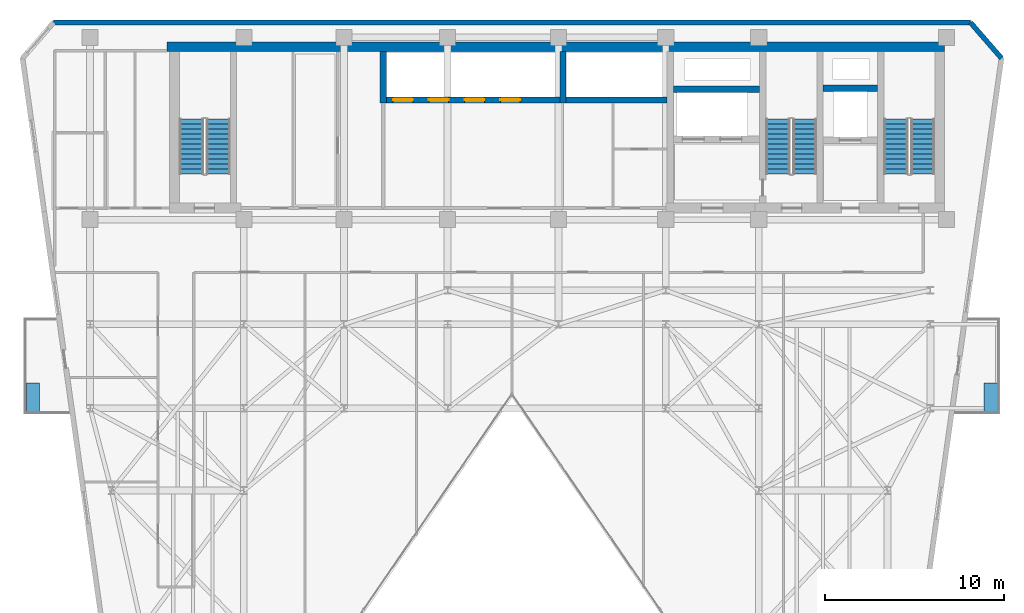
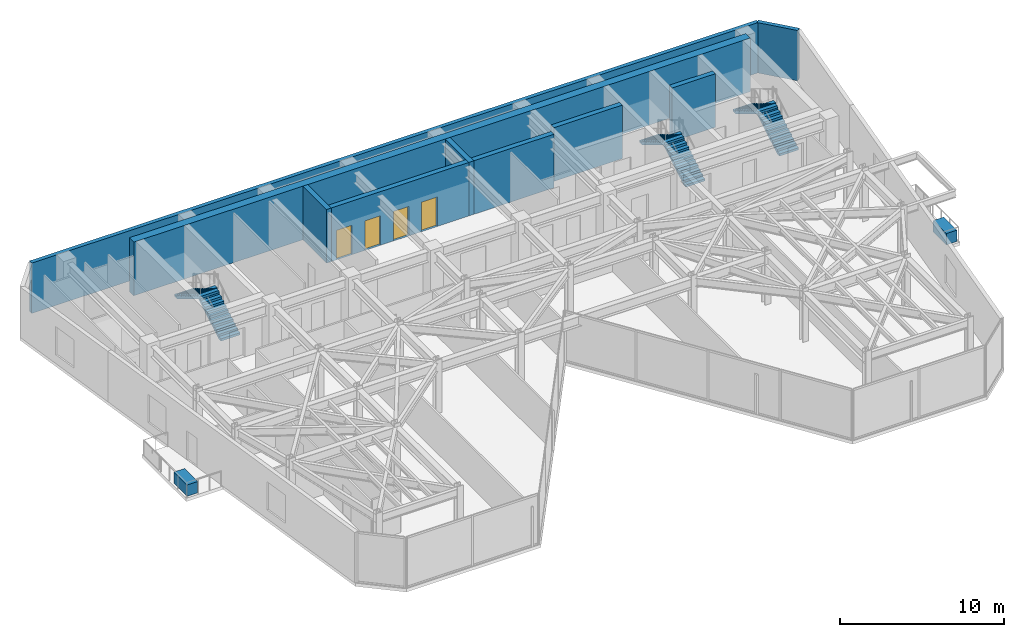
# One storey, part 18 of 21: 9 walls, 6 stair flights, 4 doors, 2 discrete accessories, 4 openings, 3 elements without a shape of their own.
"""IFC4 building model written with IfcOpenShell, lengths in metres."""

import ifcopenshell
import ifcopenshell.guid

model = None  # the IFC model being written
_history = None  # IfcOwnerHistory: only IFC2X3 demands one
_inside = {}  # id of a spatial element -> (the spatial element, [elements in it])
_under = {}  # id of a project, library or spatial element -> (it, [spatial elements below it])
_declared = {}  # id of a project -> (the project, [libraries it declares])
_typed = {}  # id of a type object -> (the type object, [elements of that type])
_made_of = {}  # id of a material, layer set ... -> (it, [elements and type objects made of it])


def new_model(schema):
    """Start an empty IFC model of exactly this schema.

    Asked for "IFC4X3", IfcOpenShell would pick the latest addendum, in which some entities
    have other attributes; the version numbers below select the first issue.
    IFC2X3 requires an IfcOwnerHistory on every rooted entity: one is made here for all.
    """
    global model, _history
    if schema == "IFC4X3":
        model = ifcopenshell.file(schema_version=(4, 3, 0, 0))
    else:
        model = ifcopenshell.file(schema=schema)
    _inside.clear()
    _under.clear()
    _declared.clear()
    _typed.clear()
    _made_of.clear()
    _history = None
    if model.schema == "IFC2X3":
        org = make("IfcOrganization", Name="unknown")
        user = make(
            "IfcPersonAndOrganization",
            ThePerson=make("IfcPerson", FamilyName="unknown"),
            TheOrganization=org,
        )
        app = make(
            "IfcApplication",
            ApplicationDeveloper=org,
            Version="unknown",
            ApplicationFullName="unknown",
            ApplicationIdentifier="unknown",
        )
        _history = make(
            "IfcOwnerHistory",
            OwningUser=user,
            OwningApplication=app,
            ChangeAction="ADDED",
            CreationDate=0,
        )
    return model


def make(cls, **values):
    """One entity of the class cls with the attributes given. An attribute that is None is left unset."""
    return model.create_entity(
        cls, **{name: value for name, value in values.items() if value is not None}
    )


def rooted(cls, **values):
    """An entity with a GlobalId (a new one), such as an element, a storey or a relation."""
    return make(cls, GlobalId=ifcopenshell.guid.new(), OwnerHistory=_history, **values)


def si_unit(unit_type, name, prefix=None):
    """IfcSIUnit, for example si_unit("LENGTHUNIT", "METRE", prefix="MILLI")."""
    return make("IfcSIUnit", UnitType=unit_type, Prefix=prefix, Name=name)


def assignment(units):
    """IfcUnitAssignment: the units of a project."""
    return None if units is None else make("IfcUnitAssignment", Units=units)


def point(xyz):
    """IfcCartesianPoint."""
    return None if xyz is None else make("IfcCartesianPoint", Coordinates=xyz)


def direction(xyz):
    """IfcDirection."""
    return None if xyz is None else make("IfcDirection", DirectionRatios=xyz)


def frame(location, z_axis=None, x_axis=None):
    """IfcAxis2Placement3D, a coordinate frame: its origin and axes. An axis left out is left unset."""
    return make(
        "IfcAxis2Placement3D",
        Location=point(location),
        Axis=direction(z_axis),
        RefDirection=direction(x_axis),
    )


def frame_2d(location, x_axis=None):
    """IfcAxis2Placement2D, a coordinate frame in the plane: its origin and x axis."""
    return make(
        "IfcAxis2Placement2D", Location=point(location), RefDirection=direction(x_axis)
    )


def origin():
    """The frame at (0, 0, 0) with its axes left unset."""
    return frame((0.0, 0.0, 0.0))


def origin_2d():
    """The frame at (0, 0) in the plane with its x axis left unset."""
    return frame_2d((0.0, 0.0))


def place(relative_to, where):
    """IfcLocalPlacement: puts the frame where relative to a parent placement (None: the world)."""
    return make(
        "IfcLocalPlacement", PlacementRelTo=relative_to, RelativePlacement=where
    )


def context(
    kind, dimensions, precision=None, world=None, true_north=None, identifier=None
):
    """IfcGeometricRepresentationContext, for example the 3D "Model" context."""
    return make(
        "IfcGeometricRepresentationContext",
        ContextIdentifier=identifier,
        ContextType=kind,
        CoordinateSpaceDimension=dimensions,
        Precision=precision,
        WorldCoordinateSystem=world,
        TrueNorth=true_north,
    )


def subcontext(parent, identifier, kind, view, scale=None):
    """IfcGeometricRepresentationSubContext, for example "Body" below "Model"."""
    return make(
        "IfcGeometricRepresentationSubContext",
        ContextIdentifier=identifier,
        ContextType=kind,
        ParentContext=parent,
        TargetScale=scale,
        TargetView=view,
    )


def project(units=None, contexts=None):
    """IfcProject with its units and contexts."""
    return rooted(
        "IfcProject",
        Name="project",
        RepresentationContexts=contexts,
        UnitsInContext=assignment(units),
    )


def spatial(cls, under=None, at=None, **own):
    """A site, building, storey or space (cls), placed at a placement, below another one or the project."""
    s = rooted(cls, ObjectPlacement=at, **own)
    if under is not None:
        _under.setdefault(under.id(), (under, []))[1].append(s)
    return s


def polyline(points):
    """IfcPolyline through the points."""
    return make("IfcPolyline", Points=[point(p) for p in points])


def profile(cls, at=None, kind="AREA", **sizes):
    """A parametric profile (cls). Its sizes go by their IFC names, for example OverallWidth=200.0."""
    return make(cls, ProfileType=kind, Position=at, **sizes)


def rectangle(**sizes):
    """IfcRectangleProfileDef."""
    return profile("IfcRectangleProfileDef", **sizes)


def outline(outer, holes=None, kind="AREA"):
    """IfcArbitraryClosedProfileDef: a profile drawn as a closed curve; with holes, ...WithVoids."""
    if holes is None:
        return make("IfcArbitraryClosedProfileDef", ProfileType=kind, OuterCurve=outer)
    return make(
        "IfcArbitraryProfileDefWithVoids",
        ProfileType=kind,
        OuterCurve=outer,
        InnerCurves=holes,
    )


def extrude(swept, where, along, depth):
    """IfcExtrudedAreaSolid: the profile swept, set in the frame where, extruded along a direction by depth."""
    return make(
        "IfcExtrudedAreaSolid",
        SweptArea=swept,
        Position=where,
        ExtrudedDirection=direction(along),
        Depth=depth,
    )


def shape(context_of_items, identifier, shape_type, items):
    """IfcShapeRepresentation: the items that make up one representation, for example the "Body"."""
    return make(
        "IfcShapeRepresentation",
        ContextOfItems=context_of_items,
        RepresentationIdentifier=identifier,
        RepresentationType=shape_type,
        Items=items,
    )


def material(Name=None, Category=None):
    """IfcMaterial."""
    return make("IfcMaterial", Name=Name, Category=Category)


def layer(
    of_material, thickness, ventilated=None, Name=None, Category=None, Priority=None
):
    """IfcMaterialLayer: one layer of a wall or slab, of a material (None: an air gap)."""
    return make(
        "IfcMaterialLayer",
        Material=of_material,
        LayerThickness=thickness,
        IsVentilated=ventilated,
        Name=Name,
        Category=Category,
        Priority=Priority,
    )


def layer_set(layers, Name=None):
    """IfcMaterialLayerSet."""
    return make("IfcMaterialLayerSet", MaterialLayers=layers, LayerSetName=Name)


def made_of(thing, what):
    """Note that an element or type object is made of a material, layer set ...; save() writes the relation."""
    if what is not None:
        _made_of.setdefault(what.id(), (what, []))[1].append(thing)
    return thing


def type_object(cls, material=None, **own):
    """A type object (cls), such as IfcWallType, which elements share."""
    return made_of(rooted(cls, **own), material)


def element(
    cls,
    number,
    at=None,
    inside=None,
    cuts=None,
    type_object=None,
    material=None,
    context=None,
    identifier="Body",
    shape_type=None,
    held_by="IfcProductDefinitionShape",
    body=None,
    shapes=None,
    **own,
):
    """One element of the class cls, such as IfcWall. Its Tag is "e" and its number.

    at: its placement. inside: the storey or other place that contains it. cuts: it is an
    opening in that element (IfcRelVoidsElement). A single representation is given by context,
    identifier, shape_type and body (its items); several are given by shapes. held_by: the class
    of the entity that holds the representations. save() writes the other relations.
    """
    e = rooted(cls, Tag="e%d" % number, ObjectPlacement=at, **own)
    if body is not None:
        shapes = [shape(context, identifier, shape_type, body)]
    if shapes is not None:
        e.Representation = make(held_by, Representations=shapes)
    if inside is not None:
        _inside.setdefault(inside.id(), (inside, []))[1].append(e)
    if cuts is not None:
        rooted(
            "IfcRelVoidsElement", RelatingBuildingElement=cuts, RelatedOpeningElement=e
        )
    if type_object is not None:
        _typed.setdefault(type_object.id(), (type_object, []))[1].append(e)
    return made_of(e, material)


def fill(opening, filler):
    """IfcRelFillsElement: the door or window that sits in an opening."""
    return rooted(
        "IfcRelFillsElement",
        RelatingOpeningElement=opening,
        RelatedBuildingElement=filler,
    )


def aggregate(whole, parts):
    """IfcRelAggregates: a whole, such as a stair, and the parts it consists of."""
    return rooted("IfcRelAggregates", RelatingObject=whole, RelatedObjects=parts)


def save(model, path):
    """Write the relations noted so far, then the file.

    IfcRelAggregates (storeys below a building ...), IfcRelContainedInSpatialStructure (elements
    in a storey), IfcRelDefinesByType, IfcRelAssociatesMaterial and IfcRelDeclares: one each for
    every whole, place, type object, material and project.
    """
    for whole, parts in _under.values():
        aggregate(whole, parts)
    for where, things in _inside.values():
        rooted(
            "IfcRelContainedInSpatialStructure",
            RelatedElements=things,
            RelatingStructure=where,
        )
    for kind, things in _typed.values():
        rooted("IfcRelDefinesByType", RelatedObjects=things, RelatingType=kind)
    for what, things in _made_of.values():
        rooted("IfcRelAssociatesMaterial", RelatedObjects=things, RelatingMaterial=what)
    for by, libraries in _declared.values():
        rooted("IfcRelDeclares", RelatingContext=by, RelatedDefinitions=libraries)
    model.write(path)


model = new_model("IFC4")

# Units and contexts
model_context = context("Model", 3, precision=1e-05, world=origin(), true_north=direction((0.0, 1.0)))
body_context = subcontext(model_context, "Body", "Model", "MODEL_VIEW")
ifc_project = project(units=[si_unit("LENGTHUNIT", "METRE"), si_unit("AREAUNIT", "SQUARE_METRE"), si_unit("VOLUMEUNIT", "CUBIC_METRE"), si_unit("PLANEANGLEUNIT", "RADIAN"), si_unit("MASSUNIT", "GRAM", prefix="KILO")], contexts=[model_context])

# Site, building, storey
site_placement = place(None, origin())
site = spatial("IfcSite", under=ifc_project, at=site_placement, CompositionType="ELEMENT")
building_placement = place(site_placement, origin())
building = spatial("IfcBuilding", under=site, at=building_placement, Name="Kravanh Interchange Tower", CompositionType="ELEMENT")
storey_placement = place(building_placement, frame((0.0, 0.0, 192.5)))
storey = spatial("IfcBuildingStorey", under=building, at=storey_placement, Name="L46", CompositionType="ELEMENT", Elevation=192.5)

# Walls
ifc_material_1 = material(Name="Concrete C60/75", Category="concrete")
ifc_layer_1 = layer(ifc_material_1, 0.35009765625)
ifc_layer_set_1 = layer_set([ifc_layer_1], Name="Core Shear Wall Concrete C60/75 350mm")
wall_type_1 = type_object("IfcWallType", Name="Core Shear Wall Concrete C60/75 350mm", PredefinedType="SHEAR", material=ifc_layer_set_1)
wall_1_placement = place(storey_placement, frame((59.60009765625, 44.699951171875, 0.0), z_axis=(0.0, 0.0, 1.0), x_axis=(1.0, 0.0, 0.0)))
element("IfcWall", 1, at=wall_1_placement, inside=storey, type_object=wall_type_1, Name="L46 Service Lift Shaft North Wall", PredefinedType="SHEAR", context=body_context, shape_type="SweptSolid", body=[
    extrude(rectangle(XDim=3.0498046875, YDim=0.35009765625, at=frame_2d((1.52490234375, 0.0))), origin(), (0.0, 0.0, 1.0), 4.0),
])
wall_2_placement = place(storey_placement, frame((51.22509765625, 44.64990234375, 0.0), z_axis=(0.0, 0.0, 1.0), x_axis=(1.0, 0.0, 0.0)))
element("IfcWall", 2, at=wall_2_placement, inside=storey, type_object=wall_type_1, Name="L46 Fire Lift Shaft North Wall", PredefinedType="SHEAR", context=body_context, shape_type="SweptSolid", body=[
    extrude(rectangle(XDim=4.824951171875, YDim=0.35009765625, at=frame_2d((2.41259765625, 0.0))), origin(), (0.0, 0.0, 1.0), 4.0),
])
wall_3_placement = place(storey_placement, frame((45.22509765625, 44.050048828125, 0.0), z_axis=(0.0, 0.0, 1.0), x_axis=(1.0, 0.0, 0.0)))
element("IfcWall", 3, at=wall_3_placement, inside=storey, type_object=wall_type_1, Name="L46 High-Rise Lift Shaft South Wall", PredefinedType="SHEAR", context=body_context, shape_type="SweptSolid", body=[
    extrude(rectangle(XDim=5.64990234375, YDim=0.35009765625, at=frame_2d((2.824951171875, 0.0))), origin(), (0.0, 0.0, 1.0), 4.0),
])
wall_4_placement = place(storey_placement, frame((45.050048828125, 43.875, 0.0), z_axis=(0.0, 0.0, 1.0), x_axis=(0.0, 1.0, 0.0)))
element("IfcWall", 4, at=wall_4_placement, inside=storey, type_object=wall_type_1, Name="L46 High-Rise Lift Shaft West Wall", PredefinedType="SHEAR", context=body_context, shape_type="SweptSolid", body=[
    extrude(rectangle(XDim=2.875, YDim=0.35009765625, at=frame_2d((1.4375, 0.0))), origin(), (0.0, 0.0, 1.0), 4.0),
])

# Wall, openings, doors
wall_5_placement = place(storey_placement, frame((35.175048828125, 44.050048828125, 0.0), z_axis=(0.0, 0.0, 1.0), x_axis=(1.0, 0.0, 0.0)))
wall_5 = element("IfcWall", 5, at=wall_5_placement, inside=storey, type_object=wall_type_1, Name="L46 Mid-Rise Lift Shaft South Wall", PredefinedType="SHEAR", context=body_context, shape_type="SweptSolid", body=[
    extrude(rectangle(XDim=9.699951171875, YDim=0.35009765625, at=frame_2d((4.85009765625, 0.0))), origin(), (0.0, 0.0, 1.0), 4.0),
])
opening_1_placement = place(wall_5_placement, frame((0.375, 0.0, 0.0)))
opening_1 = element("IfcOpeningElement", 6, at=opening_1_placement, cuts=wall_5, Name="Opening LD01", PredefinedType="OPENING", context=body_context, shape_type="SweptSolid", body=[
    extrude(rectangle(XDim=1.10009765625, YDim=2.199951171875, at=frame_2d((0.550048828125, 1.10009765625))), frame((0.0, 0.18505859375, 0.0), z_axis=(0.0, -1.0, 0.0), x_axis=(1.0, 0.0, 0.0)), (0.0, 0.0, 1.0), 0.3701171875),
])
opening_2_placement = place(wall_5_placement, frame((2.375, 0.0, 0.0)))
opening_2 = element("IfcOpeningElement", 7, at=opening_2_placement, cuts=wall_5, Name="Opening LD01", PredefinedType="OPENING", context=body_context, shape_type="SweptSolid", body=[
    extrude(rectangle(XDim=1.10009765625, YDim=2.199951171875, at=frame_2d((0.550048828125, 1.10009765625))), frame((0.0, 0.18505859375, 0.0), z_axis=(0.0, -1.0, 0.0), x_axis=(1.0, 0.0, 0.0)), (0.0, 0.0, 1.0), 0.3701171875),
])
opening_3_placement = place(wall_5_placement, frame((4.375, 0.0, 0.0)))
opening_3 = element("IfcOpeningElement", 8, at=opening_3_placement, cuts=wall_5, Name="Opening LD01", PredefinedType="OPENING", context=body_context, shape_type="SweptSolid", body=[
    extrude(rectangle(XDim=1.10009765625, YDim=2.199951171875, at=frame_2d((0.550048828125, 1.10009765625))), frame((0.0, 0.18505859375, 0.0), z_axis=(0.0, -1.0, 0.0), x_axis=(1.0, 0.0, 0.0)), (0.0, 0.0, 1.0), 0.3701171875),
])
opening_4_placement = place(wall_5_placement, frame((6.375, 0.0, 0.0)))
opening_4 = element("IfcOpeningElement", 9, at=opening_4_placement, cuts=wall_5, Name="Opening LD01", PredefinedType="OPENING", context=body_context, shape_type="SweptSolid", body=[
    extrude(rectangle(XDim=1.10009765625, YDim=2.199951171875, at=frame_2d((0.550048828125, 1.10009765625))), frame((0.0, 0.18505859375, 0.0), z_axis=(0.0, -1.0, 0.0), x_axis=(1.0, 0.0, 0.0)), (0.0, 0.0, 1.0), 0.3701171875),
])
ifc_material_2 = material(Name="Stainless Steel 304", Category="steel")
door_type = type_object("IfcDoorType", Name="Passenger Lift Sliding Landing Door 1100x2200", OperationType="DOUBLE_DOOR_SLIDING", PredefinedType="DOOR", material=ifc_material_2)
door_1_placement = place(opening_1_placement, origin())
door_1 = element("IfcDoor", 10, at=door_1_placement, inside=storey, type_object=door_type, Name="L46 Lift LP-M1 Landing Door", OperationType="DOUBLE_DOOR_SLIDING", OverallHeight=2.199951171875, OverallWidth=1.10009765625, PredefinedType="DOOR", context=body_context, shape_type="SweptSolid", body=[
    extrude(rectangle(XDim=1.10009765625, YDim=2.199951171875, at=frame_2d((0.550048828125, 1.10009765625))), frame((0.0, 0.02490234375, 0.0), z_axis=(0.0, -1.0, 0.0), x_axis=(1.0, 0.0, 0.0)), (0.0, 0.0, 1.0), 0.050048828125),
])
fill(opening_1, door_1)
door_2_placement = place(opening_2_placement, origin())
door_2 = element("IfcDoor", 11, at=door_2_placement, inside=storey, type_object=door_type, Name="L46 Lift LP-M2 Landing Door", OperationType="DOUBLE_DOOR_SLIDING", OverallHeight=2.199951171875, OverallWidth=1.10009765625, PredefinedType="DOOR", context=body_context, shape_type="SweptSolid", body=[
    extrude(rectangle(XDim=1.10009765625, YDim=2.199951171875, at=frame_2d((0.550048828125, 1.10009765625))), frame((0.0, 0.02490234375, 0.0), z_axis=(0.0, -1.0, 0.0), x_axis=(1.0, 0.0, 0.0)), (0.0, 0.0, 1.0), 0.050048828125),
])
fill(opening_2, door_2)
door_3_placement = place(opening_3_placement, origin())
door_3 = element("IfcDoor", 12, at=door_3_placement, inside=storey, type_object=door_type, Name="L46 Lift LP-M3 Landing Door", OperationType="DOUBLE_DOOR_SLIDING", OverallHeight=2.199951171875, OverallWidth=1.10009765625, PredefinedType="DOOR", context=body_context, shape_type="SweptSolid", body=[
    extrude(rectangle(XDim=1.10009765625, YDim=2.199951171875, at=frame_2d((0.550048828125, 1.10009765625))), frame((0.0, 0.02490234375, 0.0), z_axis=(0.0, -1.0, 0.0), x_axis=(1.0, 0.0, 0.0)), (0.0, 0.0, 1.0), 0.050048828125),
])
fill(opening_3, door_3)
door_4_placement = place(opening_4_placement, origin())
door_4 = element("IfcDoor", 13, at=door_4_placement, inside=storey, type_object=door_type, Name="L46 Lift LP-M4 Landing Door", OperationType="DOUBLE_DOOR_SLIDING", OverallHeight=2.199951171875, OverallWidth=1.10009765625, PredefinedType="DOOR", context=body_context, shape_type="SweptSolid", body=[
    extrude(rectangle(XDim=1.10009765625, YDim=2.199951171875, at=frame_2d((0.550048828125, 1.10009765625))), frame((0.0, 0.02490234375, 0.0), z_axis=(0.0, -1.0, 0.0), x_axis=(1.0, 0.0, 0.0)), (0.0, 0.0, 1.0), 0.050048828125),
])
fill(opening_4, door_4)

# Walls
wall_6_placement = place(storey_placement, frame((35.0, 43.875, 0.0), z_axis=(0.0, 0.0, 1.0), x_axis=(0.0, 1.0, 0.0)))
element("IfcWall", 14, at=wall_6_placement, inside=storey, type_object=wall_type_1, Name="L46 Mid-Rise Lift Shaft West Wall", PredefinedType="SHEAR", context=body_context, shape_type="SweptSolid", body=[
    extrude(rectangle(XDim=2.875, YDim=0.35009765625, at=frame_2d((1.4375, 0.0))), origin(), (0.0, 0.0, 1.0), 4.0),
])
ifc_material_3 = material(Name="Concrete C70/85", Category="concrete")
ifc_layer_2 = layer(ifc_material_3, 0.550048828125)
ifc_layer_set_2 = layer_set([ifc_layer_2], Name="Core Shear Wall Concrete C70/85 550mm")
wall_type_2 = type_object("IfcWallType", Name="Core Shear Wall Concrete C70/85 550mm", PredefinedType="SHEAR", material=ifc_layer_set_2)
wall_7_placement = place(storey_placement, frame((22.89990234375, 47.02490234375, 0.0), z_axis=(0.0, 0.0, 1.0), x_axis=(1.0, 0.0, 0.0)))
element("IfcWall", 15, at=wall_7_placement, inside=storey, type_object=wall_type_2, Name="L46 North Core Shear Wall", PredefinedType="SHEAR", context=body_context, shape_type="SweptSolid", body=[
    extrude(rectangle(XDim=43.5, YDim=0.550048828125, at=frame_2d((21.75, 0.0))), origin(), (0.0, 0.0, 1.0), 4.0),
])
ifc_material_4 = material(Name="Insulated Precast Concrete C40/50 with Bronze Cladding", Category="concrete")
ifc_layer_3 = layer(ifc_material_4, 0.280029296875)
ifc_layer_set_3 = layer_set([ifc_layer_3], Name="Exterior Insulated Concrete C40/50 Bronze Spandrel Wall 280mm")
wall_type_3 = type_object("IfcWallType", Name="Exterior Insulated Concrete C40/50 Bronze Spandrel Wall 280mm", PredefinedType="STANDARD", material=ifc_layer_set_3)
wall_8_placement = place(storey_placement, frame((16.5546875, 48.3798828125, 0.0), z_axis=(0.0, 0.0, 1.0), x_axis=(1.0, 0.0, 0.0)))
element("IfcWall", 16, at=wall_8_placement, inside=storey, type_object=wall_type_3, Name="L46 Exterior Wall 4", PredefinedType="STANDARD", context=body_context, shape_type="SweptSolid", body=[
    extrude(rectangle(XDim=51.29052734375, YDim=0.280029296875, at=frame_2d((25.645263671875, 0.0))), origin(), (0.0, 0.0, 1.0), 3.7548828125),
])
wall_9_placement = place(storey_placement, frame((67.84521484375, 48.3798828125, 0.0), z_axis=(0.0, 0.0, 1.0), x_axis=(0.656071351282, -0.754698868442, 0.0)))
element("IfcWall", 17, at=wall_9_placement, inside=storey, type_object=wall_type_3, Name="L46 Exterior Wall 5", PredefinedType="STANDARD", context=body_context, shape_type="SweptSolid", body=[
    extrude(rectangle(XDim=2.646240234375, YDim=0.280029296875, at=frame_2d((1.3232421875, 0.0))), origin(), (0.0, 0.0, 1.0), 3.7548828125),
])

# Stair, stair flights
ifc_material_5 = material(Name="Concrete C50/60", Category="concrete")
stair_type = type_object("IfcStairType", Name="Core Fire Exit Dogleg Stair Concrete C50/60", PredefinedType="HALF_TURN_STAIR", material=ifc_material_5)
stair_1_placement = place(storey_placement, origin())
stair_1 = element("IfcStair", 18, at=stair_1_placement, inside=storey, type_object=stair_type, Name="L46 Exit Stair ST1", PredefinedType="HALF_TURN_STAIR")
ifc_material_6 = material(Name="Precast Concrete C50/60", Category="concrete")
ifc_layer_4 = layer(ifc_material_6, 0.199951171875)
ifc_layer_set_4 = layer_set([ifc_layer_4], Name="Precast Concrete C50/60 Stair Flight 1350mm")
stair_flight_type = type_object("IfcStairFlightType", Name="Precast Concrete C50/60 Stair Flight 1350mm", PredefinedType="STRAIGHT", material=ifc_layer_set_4)
stair_flight_1_placement = place(storey_placement, frame((65.175048828125, 39.89990234375, 0.0), z_axis=(0.0, 0.0, 1.0), x_axis=(0.0, 1.0, 0.0)))
stair_flight_1 = element("IfcStairFlight", 19, at=stair_flight_1_placement, type_object=stair_flight_type, Name="ST1 flight 1", NumberOfRisers=12, NumberOfTreads=11, PredefinedType="STRAIGHT", RiserHeight=0.166666667, TreadLength=0.28, context=body_context, shape_type="SweptSolid", body=[
    extrude(outline(polyline([(0.0, 0.0), (0.0, 0.166748046875), (0.280029296875, 0.166748046875), (0.280029296875, 0.333251953125), (0.56005859375, 0.333251953125), (0.56005859375, 0.5), (0.840087890625, 0.5), (0.840087890625, 0.666748046875), (1.1201171875, 0.666748046875), (1.1201171875, 0.833251953125), (1.39990234375, 0.833251953125), (1.39990234375, 1.0), (1.679931640625, 1.0), (1.679931640625, 1.166748046875), (1.9599609375, 1.166748046875), (1.9599609375, 1.333251953125), (2.239990234375, 1.333251953125), (2.239990234375, 1.5), (2.52001953125, 1.5), (2.52001953125, 1.666748046875), (2.800048828125, 1.666748046875), (2.800048828125, 1.833251953125), (3.080078125, 1.833251953125), (3.080078125, 2.0), (3.080078125, 1.658935546875), (0.29296875, 0.0), (0.0, 0.0)])), frame((0.0, 0.675048828125, 0.0), z_axis=(0.0, -1.0, 0.0), x_axis=(1.0, 0.0, 0.0)), (0.0, 0.0, 1.0), 1.35009765625),
])
stair_flight_2_placement = place(storey_placement, frame((63.675048828125, 42.97998046875, 2.0), z_axis=(0.0, 0.0, 1.0), x_axis=(0.0, -1.0, 0.0)))
stair_flight_2 = element("IfcStairFlight", 20, at=stair_flight_2_placement, type_object=stair_flight_type, Name="ST1 flight 2", NumberOfRisers=12, NumberOfTreads=11, PredefinedType="STRAIGHT", RiserHeight=0.166666667, TreadLength=0.28, context=body_context, shape_type="SweptSolid", body=[
    extrude(outline(polyline([(0.0, 0.0), (0.0, 0.166748046875), (0.280029296875, 0.166748046875), (0.280029296875, 0.333251953125), (0.56005859375, 0.333251953125), (0.56005859375, 0.5), (0.840087890625, 0.5), (0.840087890625, 0.666748046875), (1.1201171875, 0.666748046875), (1.1201171875, 0.833251953125), (1.39990234375, 0.833251953125), (1.39990234375, 1.0), (1.679931640625, 1.0), (1.679931640625, 1.166748046875), (1.9599609375, 1.166748046875), (1.9599609375, 1.333251953125), (2.239990234375, 1.333251953125), (2.239990234375, 1.5), (2.52001953125, 1.5), (2.52001953125, 1.666748046875), (2.800048828125, 1.666748046875), (2.800048828125, 1.833251953125), (3.080078125, 1.833251953125), (3.080078125, 2.0), (3.080078125, 1.658935546875), (0.29296875, 0.0), (0.0, 0.0)])), frame((0.0, 0.675048828125, 0.0), z_axis=(0.0, -1.0, 0.0), x_axis=(1.0, 0.0, 0.0)), (0.0, 0.0, 1.0), 1.35009765625),
])
aggregate(stair_1, [stair_flight_1, stair_flight_2])

stair_2_placement = place(storey_placement, origin())
stair_2 = element("IfcStair", 21, at=stair_2_placement, inside=storey, type_object=stair_type, Name="L46 Exit Stair ST2", PredefinedType="HALF_TURN_STAIR")
stair_flight_3_placement = place(storey_placement, frame((58.574951171875, 39.89990234375, 0.0), z_axis=(0.0, 0.0, 1.0), x_axis=(0.0, 1.0, 0.0)))
stair_flight_3 = element("IfcStairFlight", 22, at=stair_flight_3_placement, type_object=stair_flight_type, Name="ST2 flight 1", NumberOfRisers=12, NumberOfTreads=11, PredefinedType="STRAIGHT", RiserHeight=0.166666667, TreadLength=0.28, context=body_context, shape_type="SweptSolid", body=[
    extrude(outline(polyline([(0.0, 0.0), (0.0, 0.166748046875), (0.280029296875, 0.166748046875), (0.280029296875, 0.333251953125), (0.56005859375, 0.333251953125), (0.56005859375, 0.5), (0.840087890625, 0.5), (0.840087890625, 0.666748046875), (1.1201171875, 0.666748046875), (1.1201171875, 0.833251953125), (1.39990234375, 0.833251953125), (1.39990234375, 1.0), (1.679931640625, 1.0), (1.679931640625, 1.166748046875), (1.9599609375, 1.166748046875), (1.9599609375, 1.333251953125), (2.239990234375, 1.333251953125), (2.239990234375, 1.5), (2.52001953125, 1.5), (2.52001953125, 1.666748046875), (2.800048828125, 1.666748046875), (2.800048828125, 1.833251953125), (3.080078125, 1.833251953125), (3.080078125, 2.0), (3.080078125, 1.658935546875), (0.29296875, 0.0), (0.0, 0.0)])), frame((0.0, 0.675048828125, 0.0), z_axis=(0.0, -1.0, 0.0), x_axis=(1.0, 0.0, 0.0)), (0.0, 0.0, 1.0), 1.35009765625),
])
stair_flight_4_placement = place(storey_placement, frame((57.074951171875, 42.97998046875, 2.0), z_axis=(0.0, 0.0, 1.0), x_axis=(0.0, -1.0, 0.0)))
stair_flight_4 = element("IfcStairFlight", 23, at=stair_flight_4_placement, type_object=stair_flight_type, Name="ST2 flight 2", NumberOfRisers=12, NumberOfTreads=11, PredefinedType="STRAIGHT", RiserHeight=0.166666667, TreadLength=0.28, context=body_context, shape_type="SweptSolid", body=[
    extrude(outline(polyline([(0.0, 0.0), (0.0, 0.166748046875), (0.280029296875, 0.166748046875), (0.280029296875, 0.333251953125), (0.56005859375, 0.333251953125), (0.56005859375, 0.5), (0.840087890625, 0.5), (0.840087890625, 0.666748046875), (1.1201171875, 0.666748046875), (1.1201171875, 0.833251953125), (1.39990234375, 0.833251953125), (1.39990234375, 1.0), (1.679931640625, 1.0), (1.679931640625, 1.166748046875), (1.9599609375, 1.166748046875), (1.9599609375, 1.333251953125), (2.239990234375, 1.333251953125), (2.239990234375, 1.5), (2.52001953125, 1.5), (2.52001953125, 1.666748046875), (2.800048828125, 1.666748046875), (2.800048828125, 1.833251953125), (3.080078125, 1.833251953125), (3.080078125, 2.0), (3.080078125, 1.658935546875), (0.29296875, 0.0), (0.0, 0.0)])), frame((0.0, 0.675048828125, 0.0), z_axis=(0.0, -1.0, 0.0), x_axis=(1.0, 0.0, 0.0)), (0.0, 0.0, 1.0), 1.35009765625),
])
aggregate(stair_2, [stair_flight_3, stair_flight_4])

stair_3_placement = place(storey_placement, origin())
stair_3 = element("IfcStair", 24, at=stair_3_placement, inside=storey, type_object=stair_type, Name="L46 Exit Stair ST3", PredefinedType="HALF_TURN_STAIR")
stair_flight_5_placement = place(storey_placement, frame((25.77490234375, 39.89990234375, 0.0), z_axis=(0.0, 0.0, 1.0), x_axis=(0.0, 1.0, 0.0)))
stair_flight_5 = element("IfcStairFlight", 25, at=stair_flight_5_placement, type_object=stair_flight_type, Name="ST3 flight 1", NumberOfRisers=12, NumberOfTreads=11, PredefinedType="STRAIGHT", RiserHeight=0.166666667, TreadLength=0.28, context=body_context, shape_type="SweptSolid", body=[
    extrude(outline(polyline([(0.0, 0.0), (0.0, 0.166748046875), (0.280029296875, 0.166748046875), (0.280029296875, 0.333251953125), (0.56005859375, 0.333251953125), (0.56005859375, 0.5), (0.840087890625, 0.5), (0.840087890625, 0.666748046875), (1.1201171875, 0.666748046875), (1.1201171875, 0.833251953125), (1.39990234375, 0.833251953125), (1.39990234375, 1.0), (1.679931640625, 1.0), (1.679931640625, 1.166748046875), (1.9599609375, 1.166748046875), (1.9599609375, 1.333251953125), (2.239990234375, 1.333251953125), (2.239990234375, 1.5), (2.52001953125, 1.5), (2.52001953125, 1.666748046875), (2.800048828125, 1.666748046875), (2.800048828125, 1.833251953125), (3.080078125, 1.833251953125), (3.080078125, 2.0), (3.080078125, 1.658935546875), (0.29296875, 0.0), (0.0, 0.0)])), frame((0.0, 0.675048828125, 0.0), z_axis=(0.0, -1.0, 0.0), x_axis=(1.0, 0.0, 0.0)), (0.0, 0.0, 1.0), 1.35009765625),
])
stair_flight_6_placement = place(storey_placement, frame((24.27490234375, 42.97998046875, 2.0), z_axis=(0.0, 0.0, 1.0), x_axis=(0.0, -1.0, 0.0)))
stair_flight_6 = element("IfcStairFlight", 26, at=stair_flight_6_placement, type_object=stair_flight_type, Name="ST3 flight 2", NumberOfRisers=12, NumberOfTreads=11, PredefinedType="STRAIGHT", RiserHeight=0.166666667, TreadLength=0.28, context=body_context, shape_type="SweptSolid", body=[
    extrude(outline(polyline([(0.0, 0.0), (0.0, 0.166748046875), (0.280029296875, 0.166748046875), (0.280029296875, 0.333251953125), (0.56005859375, 0.333251953125), (0.56005859375, 0.5), (0.840087890625, 0.5), (0.840087890625, 0.666748046875), (1.1201171875, 0.666748046875), (1.1201171875, 0.833251953125), (1.39990234375, 0.833251953125), (1.39990234375, 1.0), (1.679931640625, 1.0), (1.679931640625, 1.166748046875), (1.9599609375, 1.166748046875), (1.9599609375, 1.333251953125), (2.239990234375, 1.333251953125), (2.239990234375, 1.5), (2.52001953125, 1.5), (2.52001953125, 1.666748046875), (2.800048828125, 1.666748046875), (2.800048828125, 1.833251953125), (3.080078125, 1.833251953125), (3.080078125, 2.0), (3.080078125, 1.658935546875), (0.29296875, 0.0), (0.0, 0.0)])), frame((0.0, 0.675048828125, 0.0), z_axis=(0.0, -1.0, 0.0), x_axis=(1.0, 0.0, 0.0)), (0.0, 0.0, 1.0), 1.35009765625),
])
aggregate(stair_3, [stair_flight_5, stair_flight_6])

# Discrete accessories
ifc_material_7 = material(Name="Architectural GRC Concrete C40/50 with Root Barrier", Category="concrete")
discrete_accessory_type = type_object("IfcDiscreteAccessoryType", Name="Structural Balcony Tree Planter Box Concrete C40/50 1600x750x850", PredefinedType="USERDEFINED", material=ifc_material_7)
for number, where, z_axis, x_axis, name in (
    (27, (68.969970703125, 27.419921875, 0.0), (0.0, 0.0, 1.0), (1.0, 0.0, 0.0), "L46 E Balcony TREE PLANTER"),
    (28, (15.406982421875, 27.419921875, 0.0), (0.0, 0.0, 1.0), (1.0, 0.0, 0.0), "L46 W Balcony TREE PLANTER"),
):
    element("IfcDiscreteAccessory", number, at=place(storey_placement, frame(where, z_axis=z_axis, x_axis=x_axis)), inside=storey, type_object=discrete_accessory_type, Name=name, ObjectType="PLANTER", PredefinedType="USERDEFINED", context=body_context, shape_type="SweptSolid", body=[
        extrude(rectangle(XDim=0.75, YDim=1.60009765625, at=origin_2d()), origin(), (0.0, 0.0, 1.0), 0.85009765625),
    ])

save(model, "model.ifc")
